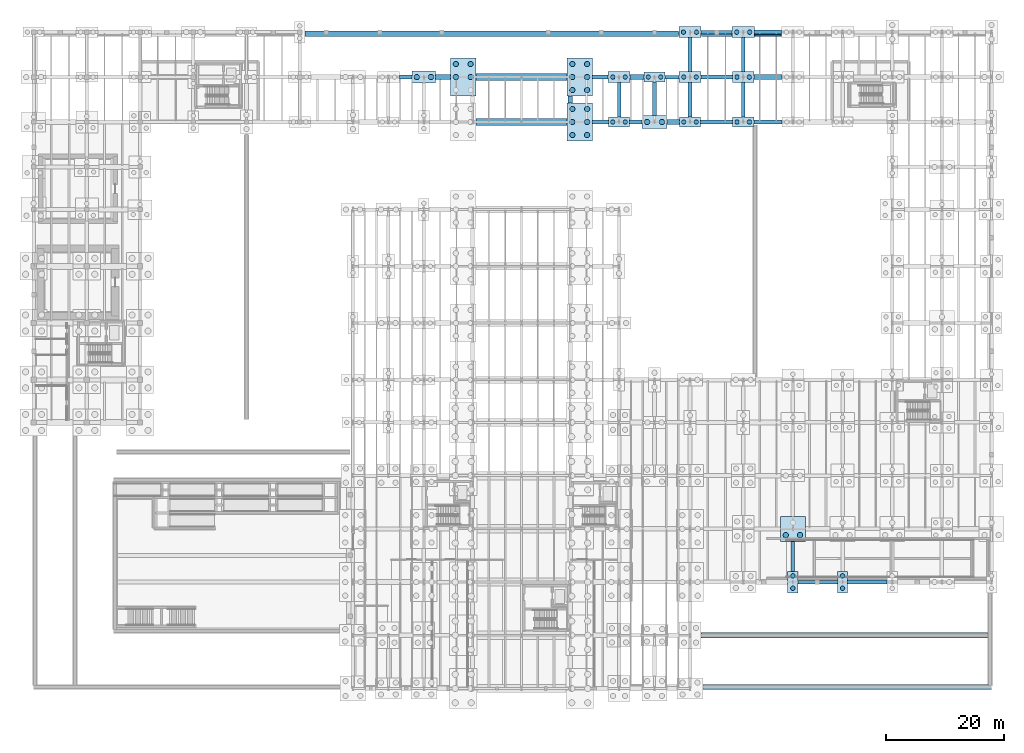
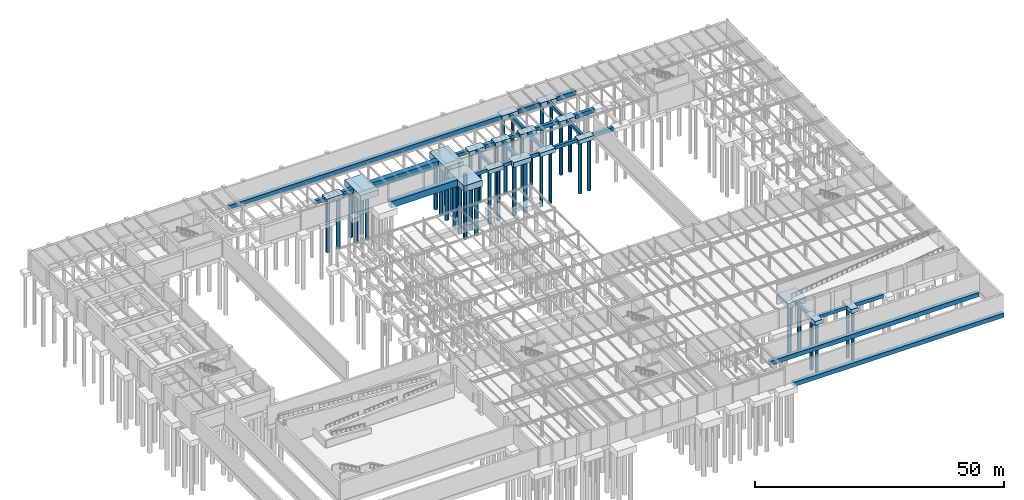
# One storey, part 9 of 59: 48 footings, 44 piles.
"""IFC4 building model written with IfcOpenShell, lengths in metres."""

from ifc_helpers import new_model, si_unit, direction, frame, origin, origin_2d, place, context, subcontext, project, spatial, polyline, rectangle, circle, outline, extrude, material, material_profile, profile_set, type_object, element, save


model = new_model("IFC4")

# Units and contexts
model_context = context("Model", 3, precision=1e-05, world=origin(), true_north=direction((0.0, 1.0)))
body_context = subcontext(model_context, "Body", "Model", "MODEL_VIEW")
ifc_project = project(units=[si_unit("LENGTHUNIT", "METRE"), si_unit("AREAUNIT", "SQUARE_METRE"), si_unit("VOLUMEUNIT", "CUBIC_METRE"), si_unit("PLANEANGLEUNIT", "RADIAN"), si_unit("MASSUNIT", "GRAM", prefix="KILO")], contexts=[model_context])

# Site, building, storey
site_placement = place(None, origin())
site = spatial("IfcSite", under=ifc_project, at=site_placement, CompositionType="ELEMENT")
building_placement = place(site_placement, origin())
building = spatial("IfcBuilding", under=site, at=building_placement, Name="Montealbar Specialist Clinic", CompositionType="ELEMENT")
storey_placement = place(building_placement, frame((0.0, 0.0, -4.800048828125)))
storey = spatial("IfcBuildingStorey", under=building, at=storey_placement, Name="B01", CompositionType="ELEMENT", Elevation=-4.800048828125)

# Footings
ifc_material = material(Name="Concrete C35/45", Category="concrete")
footing_type_1 = type_object("IfcFootingType", Name="FB-METRO-1200x1600", PredefinedType="FOOTING_BEAM", material=ifc_material)
footing_1_placement = place(storey_placement, frame((0.0, 0.0, -1.599853515625)))
element("IfcFooting", 1, at=footing_1_placement, inside=storey, type_object=footing_type_1, Name="Foundation Ground Beam FBX-748-902-958", PredefinedType="FOOTING_BEAM", context=body_context, shape_type="SweptSolid", body=[
    extrude(outline(polyline([(74.800048828125, 95.199951171875), (90.199951171875, 95.199951171875), (90.199951171875, 96.39990234375), (74.800048828125, 96.39990234375), (74.800048828125, 95.199951171875)])), origin(), (0.0, 0.0, 1.0), 1.599853515625),
])
footing_2_placement = place(storey_placement, frame((0.0, 0.0, -1.599853515625)))
element("IfcFooting", 2, at=footing_2_placement, inside=storey, type_object=footing_type_1, Name="Foundation Ground Beam FBX-748-902-1034", PredefinedType="FOOTING_BEAM", context=body_context, shape_type="SweptSolid", body=[
    extrude(outline(polyline([(74.800048828125, 102.800048828125), (90.199951171875, 102.800048828125), (90.199951171875, 104.0), (74.800048828125, 104.0), (74.800048828125, 102.800048828125)])), origin(), (0.0, 0.0, 1.0), 1.599853515625),
])
footing_type_2 = type_object("IfcFootingType", Name="FB-TIE-600x800", PredefinedType="FOOTING_BEAM", material=ifc_material)
footing_3_placement = place(storey_placement, frame((0.0, 0.0, -0.800048828125)))
element("IfcFooting", 3, at=footing_3_placement, inside=storey, type_object=footing_type_2, Name="Foundation Ground Beam FBX-1293-1359-180", PredefinedType="FOOTING_BEAM", context=body_context, shape_type="SweptSolid", body=[
    extrude(outline(polyline([(129.27490234375, 17.699951171875), (135.925048828125, 17.699951171875), (135.925048828125, 18.300048828125), (129.27490234375, 18.300048828125), (129.27490234375, 17.699951171875)])), origin(), (0.0, 0.0, 1.0), 0.800048828125),
])
footing_4_placement = place(storey_placement, frame((0.0, 0.0, -0.800048828125)))
element("IfcFooting", 4, at=footing_4_placement, inside=storey, type_object=footing_type_2, Name="Foundation Ground Beam FBX-945-972-958", PredefinedType="FOOTING_BEAM", context=body_context, shape_type="SweptSolid", body=[
    extrude(outline(polyline([(94.5, 95.5), (97.199951171875, 95.5), (97.199951171875, 96.10009765625), (94.5, 96.10009765625), (94.5, 95.5)])), origin(), (0.0, 0.0, 1.0), 0.800048828125),
])
footing_5_placement = place(storey_placement, frame((0.0, 0.0, -0.800048828125)))
element("IfcFooting", 5, at=footing_5_placement, inside=storey, type_object=footing_type_2, Name="Foundation Ground Beam FBX-1128-1182-958", PredefinedType="FOOTING_BEAM", context=body_context, shape_type="SweptSolid", body=[
    extrude(outline(polyline([(112.800048828125, 95.5), (118.199951171875, 95.5), (118.199951171875, 96.10009765625), (112.800048828125, 96.10009765625), (112.800048828125, 95.5)])), origin(), (0.0, 0.0, 1.0), 0.800048828125),
])
footing_6_placement = place(storey_placement, frame((0.0, 0.0, -0.800048828125)))
element("IfcFooting", 6, at=footing_6_placement, inside=storey, type_object=footing_type_2, Name="Foundation Ground Beam FBX-1068-1092-1034", PredefinedType="FOOTING_BEAM", context=body_context, shape_type="SweptSolid", body=[
    extrude(outline(polyline([(106.800048828125, 103.10009765625), (109.14990234375, 103.10009765625), (109.14990234375, 103.699951171875), (106.800048828125, 103.699951171875), (106.800048828125, 103.10009765625)])), origin(), (0.0, 0.0, 1.0), 0.800048828125),
])
footing_7_placement = place(storey_placement, frame((0.0, 0.0, -0.800048828125)))
element("IfcFooting", 7, at=footing_7_placement, inside=storey, type_object=footing_type_2, Name="Foundation Ground Beam FBX-1129-1181-1110", PredefinedType="FOOTING_BEAM", context=body_context, shape_type="SweptSolid", body=[
    extrude(outline(polyline([(112.89990234375, 110.699951171875), (118.10009765625, 110.699951171875), (118.10009765625, 111.300048828125), (112.89990234375, 111.300048828125), (112.89990234375, 110.699951171875)])), origin(), (0.0, 0.0, 1.0), 0.800048828125),
])
footing_8_placement = place(storey_placement, frame((0.0, 0.0, -0.800048828125)))
element("IfcFooting", 8, at=footing_8_placement, inside=storey, type_object=footing_type_2, Name="Foundation Tie Beam FBY-990-966-1025", PredefinedType="FOOTING_BEAM", context=body_context, shape_type="SweptSolid", body=[
    extrude(outline(polyline([(98.699951171875, 96.64990234375), (99.300048828125, 96.64990234375), (99.300048828125, 102.5), (98.699951171875, 102.5), (98.699951171875, 96.64990234375)])), origin(), (0.0, 0.0, 1.0), 0.800048828125),
])
footing_9_placement = place(storey_placement, frame((0.0, 0.0, -0.800048828125)))
element("IfcFooting", 9, at=footing_9_placement, inside=storey, type_object=footing_type_2, Name="Foundation Tie Beam FBY-1050-969-1026", PredefinedType="FOOTING_BEAM", context=body_context, shape_type="SweptSolid", body=[
    extrude(outline(polyline([(104.699951171875, 96.875), (105.300048828125, 96.875), (105.300048828125, 102.550048828125), (104.699951171875, 102.550048828125), (104.699951171875, 96.875)])), origin(), (0.0, 0.0, 1.0), 0.800048828125),
])
footing_10_placement = place(storey_placement, frame((0.0, 0.0, -0.800048828125)))
element("IfcFooting", 10, at=footing_10_placement, inside=storey, type_object=footing_type_2, Name="Foundation Tie Beam FBY-1110-966-1025", PredefinedType="FOOTING_BEAM", context=body_context, shape_type="SweptSolid", body=[
    extrude(outline(polyline([(110.699951171875, 96.64990234375), (111.300048828125, 96.64990234375), (111.300048828125, 102.5), (110.699951171875, 102.5), (110.699951171875, 96.64990234375)])), origin(), (0.0, 0.0, 1.0), 0.800048828125),
])
footing_11_placement = place(storey_placement, frame((0.0, 0.0, -0.800048828125)))
element("IfcFooting", 11, at=footing_11_placement, inside=storey, type_object=footing_type_2, Name="Foundation Tie Beam FBY-1110-1043-1100", PredefinedType="FOOTING_BEAM", context=body_context, shape_type="SweptSolid", body=[
    extrude(outline(polyline([(110.699951171875, 104.300048828125), (111.300048828125, 104.300048828125), (111.300048828125, 110.050048828125), (110.699951171875, 110.050048828125), (110.699951171875, 104.300048828125)])), origin(), (0.0, 0.0, 1.0), 0.800048828125),
])
footing_12_placement = place(storey_placement, frame((0.0, 0.0, -0.800048828125)))
element("IfcFooting", 12, at=footing_12_placement, inside=storey, type_object=footing_type_2, Name="Foundation Tie Beam FBY-1200-966-1025", PredefinedType="FOOTING_BEAM", context=body_context, shape_type="SweptSolid", body=[
    extrude(outline(polyline([(119.699951171875, 96.64990234375), (120.300048828125, 96.64990234375), (120.300048828125, 102.5), (119.699951171875, 102.5), (119.699951171875, 96.64990234375)])), origin(), (0.0, 0.0, 1.0), 0.800048828125),
])
footing_13_placement = place(storey_placement, frame((0.0, 0.0, -0.800048828125)))
element("IfcFooting", 13, at=footing_13_placement, inside=storey, type_object=footing_type_2, Name="Foundation Tie Beam FBY-1200-1043-1100", PredefinedType="FOOTING_BEAM", context=body_context, shape_type="SweptSolid", body=[
    extrude(outline(polyline([(119.699951171875, 104.300048828125), (120.300048828125, 104.300048828125), (120.300048828125, 110.050048828125), (119.699951171875, 110.050048828125), (119.699951171875, 104.300048828125)])), origin(), (0.0, 0.0, 1.0), 0.800048828125),
])
footing_14_placement = place(storey_placement, frame((0.0, 0.0, -1.25)))
element("IfcFooting", 14, at=footing_14_placement, inside=storey, type_object=footing_type_2, Name="Foundation Tie Beam FBY-1284-198-249", PredefinedType="FOOTING_BEAM", context=body_context, shape_type="SweptSolid", body=[
    extrude(outline(polyline([(128.10009765625, 19.824951171875), (128.699951171875, 19.824951171875), (128.699951171875, 24.89990234375), (128.10009765625, 24.89990234375), (128.10009765625, 19.824951171875)])), origin(), (0.0, 0.0, 1.0), 0.800048828125),
])
footing_type_3 = type_object("IfcFootingType", Name="FB-TIE-700x900", PredefinedType="FOOTING_BEAM", material=ifc_material)
footing_15_placement = place(storey_placement, frame((0.0, 0.0, -0.89990234375)))
element("IfcFooting", 15, at=footing_15_placement, inside=storey, type_object=footing_type_3, Name="Foundation Ground Beam FBX-1377-1443-180", PredefinedType="FOOTING_BEAM", context=body_context, shape_type="SweptSolid", body=[
    extrude(outline(polyline([(137.675048828125, 17.64990234375), (144.324951171875, 17.64990234375), (144.324951171875, 18.35009765625), (137.675048828125, 18.35009765625), (137.675048828125, 17.64990234375)])), origin(), (0.0, 0.0, 1.0), 0.89990234375),
])
footing_16_placement = place(storey_placement, frame((0.0, 0.0, -0.89990234375)))
element("IfcFooting", 16, at=footing_16_placement, inside=storey, type_object=footing_type_3, Name="Foundation Ground Beam FBX-1008-1029-958", PredefinedType="FOOTING_BEAM", context=body_context, shape_type="SweptSolid", body=[
    extrude(outline(polyline([(100.800048828125, 95.449951171875), (102.89990234375, 95.449951171875), (102.89990234375, 96.14990234375), (100.800048828125, 96.14990234375), (100.800048828125, 95.449951171875)])), origin(), (0.0, 0.0, 1.0), 0.89990234375),
])
footing_17_placement = place(storey_placement, frame((0.0, 0.0, -0.89990234375)))
element("IfcFooting", 17, at=footing_17_placement, inside=storey, type_object=footing_type_3, Name="Foundation Ground Beam FBX-1218-1266-958", PredefinedType="FOOTING_BEAM", context=body_context, shape_type="SweptSolid", body=[
    extrude(outline(polyline([(121.800048828125, 95.449951171875), (126.60009765625, 95.449951171875), (126.60009765625, 96.14990234375), (121.800048828125, 96.14990234375), (121.800048828125, 95.449951171875)])), origin(), (0.0, 0.0, 1.0), 0.89990234375),
])
footing_18_placement = place(storey_placement, frame((0.0, 0.0, -0.89990234375)))
element("IfcFooting", 18, at=footing_18_placement, inside=storey, type_object=footing_type_3, Name="Foundation Ground Beam FBX-618-640-1034", PredefinedType="FOOTING_BEAM", context=body_context, shape_type="SweptSolid", body=[
    extrude(outline(polyline([(61.85009765625, 103.050048828125), (64.0, 103.050048828125), (64.0, 103.75), (61.85009765625, 103.75), (61.85009765625, 103.050048828125)])), origin(), (0.0, 0.0, 1.0), 0.89990234375),
])
footing_19_placement = place(storey_placement, frame((0.0, 0.0, -0.89990234375)))
element("IfcFooting", 19, at=footing_19_placement, inside=storey, type_object=footing_type_3, Name="Foundation Ground Beam FBX-945-972-1034", PredefinedType="FOOTING_BEAM", context=body_context, shape_type="SweptSolid", body=[
    extrude(outline(polyline([(94.5, 103.050048828125), (97.14990234375, 103.050048828125), (97.14990234375, 103.75), (94.5, 103.75), (94.5, 103.050048828125)])), origin(), (0.0, 0.0, 1.0), 0.89990234375),
])
footing_20_placement = place(storey_placement, frame((0.0, 0.0, -0.89990234375)))
element("IfcFooting", 20, at=footing_20_placement, inside=storey, type_object=footing_type_3, Name="Foundation Ground Beam FBX-1128-1182-1034", PredefinedType="FOOTING_BEAM", context=body_context, shape_type="SweptSolid", body=[
    extrude(outline(polyline([(112.85009765625, 103.050048828125), (118.14990234375, 103.050048828125), (118.14990234375, 103.75), (112.85009765625, 103.75), (112.85009765625, 103.050048828125)])), origin(), (0.0, 0.0, 1.0), 0.89990234375),
])
footing_21_placement = place(storey_placement, frame((0.0, 0.0, -0.89990234375)))
element("IfcFooting", 21, at=footing_21_placement, inside=storey, type_object=footing_type_3, Name="Foundation Ground Beam FBX-1219-1265-1110", PredefinedType="FOOTING_BEAM", context=body_context, shape_type="SweptSolid", body=[
    extrude(outline(polyline([(121.89990234375, 110.64990234375), (126.5, 110.64990234375), (126.5, 111.35009765625), (121.89990234375, 111.35009765625), (121.89990234375, 110.64990234375)])), origin(), (0.0, 0.0, 1.0), 0.89990234375),
])
footing_22_placement = place(storey_placement, frame((0.0, 0.0, -0.89990234375)))
element("IfcFooting", 22, at=footing_22_placement, inside=storey, type_object=footing_type_3, Name="Foundation Tie Beam FBY-908-990-1002", PredefinedType="FOOTING_BEAM", context=body_context, shape_type="SweptSolid", body=[
    extrude(outline(polyline([(90.39990234375, 99.0), (91.10009765625, 99.0), (91.10009765625, 100.199951171875), (90.39990234375, 100.199951171875), (90.39990234375, 99.0)])), origin(), (0.0, 0.0, 1.0), 0.89990234375),
])
footing_type_4 = type_object("IfcFootingType", Name="FB-TIE-800x1000", PredefinedType="FOOTING_BEAM", material=ifc_material)
footing_23_placement = place(storey_placement, frame((0.0, 0.0, -1.0)))
element("IfcFooting", 23, at=footing_23_placement, inside=storey, type_object=footing_type_4, Name="Foundation Ground Beam FBX-1071-1092-958", PredefinedType="FOOTING_BEAM", context=body_context, shape_type="SweptSolid", body=[
    extrude(outline(polyline([(107.10009765625, 95.39990234375), (109.199951171875, 95.39990234375), (109.199951171875, 96.199951171875), (107.10009765625, 96.199951171875), (107.10009765625, 95.39990234375)])), origin(), (0.0, 0.0, 1.0), 1.0),
])
footing_24_placement = place(storey_placement, frame((0.0, 0.0, -1.0)))
element("IfcFooting", 24, at=footing_24_placement, inside=storey, type_object=footing_type_4, Name="Foundation Ground Beam FBX-680-705-1034", PredefinedType="FOOTING_BEAM", context=body_context, shape_type="SweptSolid", body=[
    extrude(outline(polyline([(68.0, 103.0), (70.5, 103.0), (70.5, 103.800048828125), (68.0, 103.800048828125), (68.0, 103.0)])), origin(), (0.0, 0.0, 1.0), 1.0),
])
footing_25_placement = place(storey_placement, frame((0.0, 0.0, -1.0)))
element("IfcFooting", 25, at=footing_25_placement, inside=storey, type_object=footing_type_4, Name="Foundation Ground Beam FBX-1008-1032-1034", PredefinedType="FOOTING_BEAM", context=body_context, shape_type="SweptSolid", body=[
    extrude(outline(polyline([(100.85009765625, 103.0), (103.199951171875, 103.0), (103.199951171875, 103.800048828125), (100.85009765625, 103.800048828125), (100.85009765625, 103.0)])), origin(), (0.0, 0.0, 1.0), 1.0),
])
footing_26_placement = place(storey_placement, frame((0.0, 0.0, -1.0)))
element("IfcFooting", 26, at=footing_26_placement, inside=storey, type_object=footing_type_4, Name="Foundation Ground Beam FBX-1218-1266-1034", PredefinedType="FOOTING_BEAM", context=body_context, shape_type="SweptSolid", body=[
    extrude(outline(polyline([(121.85009765625, 103.0), (126.550048828125, 103.0), (126.550048828125, 103.800048828125), (121.85009765625, 103.800048828125), (121.85009765625, 103.0)])), origin(), (0.0, 0.0, 1.0), 1.0),
])
footing_type_5 = type_object("IfcFootingType", Name="FT-CORE-STRIP", PredefinedType="STRIP_FOOTING", material=ifc_material)
footing_27_placement = place(storey_placement, frame((0.0, 0.0, -1.050048828125)))
element("IfcFooting", 27, at=footing_27_placement, inside=storey, type_object=footing_type_5, Name="Strip Footing FT-PLINTH-SE-S1-3", PredefinedType="STRIP_FOOTING", context=body_context, shape_type="SweptSolid", body=[
    extrude(outline(polyline([(162.0, -0.199951171875), (113.22998046875, -0.199951171875), (113.22998046875, 0.699951171875), (162.0, 0.699951171875), (162.0, -0.199951171875)])), origin(), (0.0, 0.0, 1.0), 1.050048828125),
])
footing_28_placement = place(storey_placement, frame((0.0, 0.0, -1.050048828125)))
element("IfcFooting", 28, at=footing_28_placement, inside=storey, type_object=footing_type_5, Name="Strip Footing FT-PLINTH-N-ALL-5", PredefinedType="STRIP_FOOTING", context=body_context, shape_type="SweptSolid", body=[
    extrude(outline(polyline([(109.070068359375, 110.300048828125), (45.905029296875, 110.300048828125), (45.905029296875, 111.199951171875), (109.070068359375, 111.199951171875), (109.070068359375, 110.300048828125)])), origin(), (0.0, 0.0, 1.0), 1.050048828125),
])
footing_29_placement = place(storey_placement, frame((0.0, 0.0, -1.050048828125)))
element("IfcFooting", 29, at=footing_29_placement, inside=storey, type_object=footing_type_5, Name="Strip Footing FT-PLINTH-N-ALL-6", PredefinedType="STRIP_FOOTING", context=body_context, shape_type="SweptSolid", body=[
    extrude(outline(polyline([(112.929931640625, 110.300048828125), (112.929931640625, 110.669921875), (118.070068359375, 110.669921875), (118.070068359375, 110.300048828125), (112.929931640625, 110.300048828125)])), origin(), (0.0, 0.0, 1.0), 1.050048828125),
])
footing_30_placement = place(storey_placement, frame((0.0, 0.0, -1.050048828125)))
element("IfcFooting", 30, at=footing_30_placement, inside=storey, type_object=footing_type_5, Name="Strip Footing FT-PLINTH-N-ALL-7", PredefinedType="STRIP_FOOTING", context=body_context, shape_type="SweptSolid", body=[
    extrude(outline(polyline([(121.929931640625, 110.300048828125), (121.929931640625, 110.6201171875), (126.469970703125, 110.6201171875), (126.469970703125, 110.300048828125), (121.929931640625, 110.300048828125)])), origin(), (0.0, 0.0, 1.0), 1.050048828125),
])
footing_31_placement = place(storey_placement, frame((0.0, 0.0, -1.050048828125)))
element("IfcFooting", 31, at=footing_31_placement, inside=storey, type_object=footing_type_5, Name="Strip Footing FT-PLINTH-SUP-SE1-1", PredefinedType="STRIP_FOOTING", context=body_context, shape_type="SweptSolid", body=[
    extrude(outline(polyline([(112.85498046875, 9.449951171875), (161.2900390625, 9.449951171875), (161.2900390625, 8.550048828125), (112.85498046875, 8.550048828125), (112.85498046875, 9.449951171875)])), origin(), (0.0, 0.0, 1.0), 1.050048828125),
])
footing_type_6 = type_object("IfcFootingType", Name="PC-2A", PredefinedType="PILE_CAP", material=ifc_material)
for number, where, z_axis, x_axis, name in (
    (32, (99.0, 95.800048828125, -1.0), (0.0, 0.0, 1.0), (1.0, 0.0, 0.0), "Pile Cap 13/M"),
    (33, (105.0, 103.39990234375, -1.0), (0.0, 0.0, 1.0), (1.0, 0.0, 0.0), "Pile Cap 14/N"),
    (34, (111.0, 95.800048828125, -1.0), (0.0, 0.0, 1.0), (1.0, 0.0, 0.0), "Pile Cap 15/M"),
    (35, (120.0, 95.800048828125, -1.0), (0.0, 0.0, 1.0), (1.0, 0.0, 0.0), "Pile Cap 16/M"),
):
    element("IfcFooting", number, at=place(storey_placement, frame(where, z_axis=z_axis, x_axis=x_axis)), inside=storey, type_object=footing_type_6, Name=name, PredefinedType="PILE_CAP", context=body_context, shape_type="SweptSolid", body=[
        extrude(rectangle(XDim=3.60009765625, YDim=1.699951171875, at=origin_2d()), origin(), (0.0, 0.0, 1.0), 1.0),
    ])
footing_type_7 = type_object("IfcFootingType", Name="PC-2B", PredefinedType="PILE_CAP", material=ifc_material)
for number, where, z_axis, x_axis, name in (
    (36, (99.0, 103.39990234375, -1.0498046875), (0.0, 0.0, 1.0), (1.0, 0.0, 0.0), "Pile Cap 13/N"),
    (37, (111.0, 103.39990234375, -1.0498046875), (0.0, 0.0, 1.0), (1.0, 0.0, 0.0), "Pile Cap 15/N"),
    (38, (120.0, 103.39990234375, -1.0498046875), (0.0, 0.0, 1.0), (1.0, 0.0, 0.0), "Pile Cap 16/N"),
):
    element("IfcFooting", number, at=place(storey_placement, frame(where, z_axis=z_axis, x_axis=x_axis)), inside=storey, type_object=footing_type_7, Name=name, PredefinedType="PILE_CAP", context=body_context, shape_type="SweptSolid", body=[
        extrude(rectangle(XDim=3.699951171875, YDim=1.800048828125, at=origin_2d()), origin(), (0.0, 0.0, 1.0), 1.050048828125),
    ])
footing_type_8 = type_object("IfcFootingType", Name="PC-2C", PredefinedType="PILE_CAP", material=ifc_material)
for number, where, z_axis, x_axis, name in (
    (39, (111.0, 111.0, -1.10009765625), (0.0, 0.0, 1.0), (1.0, 0.0, 0.0), "Pile Cap 15/P"),
    (40, (120.0, 111.0, -1.10009765625), (0.0, 0.0, 1.0), (1.0, 0.0, 0.0), "Pile Cap 16/P"),
):
    element("IfcFooting", number, at=place(storey_placement, frame(where, z_axis=z_axis, x_axis=x_axis)), inside=storey, type_object=footing_type_8, Name=name, PredefinedType="PILE_CAP", context=body_context, shape_type="SweptSolid", body=[
        extrude(rectangle(XDim=3.800048828125, YDim=1.89990234375, at=origin_2d()), origin(), (0.0, 0.0, 1.0), 1.10009765625),
    ])
footing_type_9 = type_object("IfcFootingType", Name="PC-2D", PredefinedType="PILE_CAP", material=ifc_material)
for number, where, z_axis, x_axis, name in (
    (41, (128.39990234375, 18.0, -1.0), (0.0, 0.0, 1.0), (1.0, 0.0, 0.0), "Pile Cap 17/C"),
    (42, (136.800048828125, 18.0, -1.0), (0.0, 0.0, 1.0), (1.0, 0.0, 0.0), "Pile Cap 18/C"),
):
    element("IfcFooting", number, at=place(storey_placement, frame(where, z_axis=z_axis, x_axis=x_axis)), inside=storey, type_object=footing_type_9, Name=name, PredefinedType="PILE_CAP", context=body_context, shape_type="SweptSolid", body=[
        extrude(rectangle(XDim=1.75, YDim=3.64990234375, at=origin_2d()), origin(), (0.0, 0.0, 1.0), 1.0),
    ])
footing_type_10 = type_object("IfcFootingType", Name="PC-2F", PredefinedType="PILE_CAP", material=ifc_material)
footing_32_placement = place(storey_placement, frame((66.0, 103.39990234375, -1.14990234375), z_axis=(0.0, 0.0, 1.0), x_axis=(1.0, 0.0, 0.0)))
element("IfcFooting", 43, at=footing_32_placement, inside=storey, type_object=footing_type_10, Name="Pile Cap 9/N", PredefinedType="PILE_CAP", context=body_context, shape_type="SweptSolid", body=[
    extrude(rectangle(XDim=4.0, YDim=2.0, at=origin_2d()), origin(), (0.0, 0.0, 1.0), 1.14990234375),
])
footing_type_11 = type_object("IfcFootingType", Name="PC-2H", PredefinedType="PILE_CAP", material=ifc_material)
footing_33_placement = place(storey_placement, frame((105.0, 95.800048828125, -1.19970703125), z_axis=(0.0, 0.0, 1.0), x_axis=(1.0, 0.0, 0.0)))
element("IfcFooting", 44, at=footing_33_placement, inside=storey, type_object=footing_type_11, Name="Pile Cap 14/M", PredefinedType="PILE_CAP", context=body_context, shape_type="SweptSolid", body=[
    extrude(rectangle(XDim=4.199951171875, YDim=2.14990234375, at=origin_2d()), origin(), (0.0, 0.0, 1.0), 1.199951171875),
])
footing_type_12 = type_object("IfcFootingType", Name="PC-3D", PredefinedType="PILE_CAP", material=ifc_material)
footing_34_placement = place(storey_placement, frame((128.39990234375, 27.0, -1.699951171875), z_axis=(0.0, 0.0, 1.0), x_axis=(1.0, 0.0, 0.0)))
element("IfcFooting", 45, at=footing_34_placement, inside=storey, type_object=footing_type_12, Name="Pile Cap 17/D", PredefinedType="PILE_CAP", context=body_context, shape_type="SweptSolid", body=[
    extrude(rectangle(XDim=4.199951171875, YDim=4.199951171875, at=origin_2d()), origin(), (0.0, 0.0, 1.0), 1.25),
])
footing_type_13 = type_object("IfcFootingType", Name="PC-6A", PredefinedType="PILE_CAP", material=ifc_material)
for number, where, z_axis, x_axis, name in (
    (46, (72.64990234375, 103.39990234375, -1.5), (0.0, 0.0, 1.0), (1.0, 0.0, 0.0), "Pile Cap 10/N"),
    (47, (92.35009765625, 95.800048828125, -1.5), (0.0, 0.0, 1.0), (1.0, 0.0, 0.0), "Pile Cap 12/M"),
    (48, (92.35009765625, 103.39990234375, -1.5), (0.0, 0.0, 1.0), (1.0, 0.0, 0.0), "Pile Cap 12/N"),
):
    element("IfcFooting", number, at=place(storey_placement, frame(where, z_axis=z_axis, x_axis=x_axis)), inside=storey, type_object=footing_type_13, Name=name, PredefinedType="PILE_CAP", context=body_context, shape_type="SweptSolid", body=[
        extrude(rectangle(XDim=4.300048828125, YDim=6.39990234375, at=origin_2d()), origin(), (0.0, 0.0, 1.0), 1.5),
    ])

# Piles
ifc_material_profile_1 = material_profile(ifc_material, circle(Radius=0.375, at=origin_2d()), Name="PILE D750", Category="concrete")
ifc_profile_set_1 = profile_set([ifc_material_profile_1], Name="Concrete C35/45")
pile_type_1 = type_object("IfcPileType", Name="PILE-D750", PredefinedType="BORED", material=ifc_profile_set_1)
for number, where, z_axis, x_axis, name in (
    (49, (97.949951171875, 95.800048828125, -0.89990234375), (0.0, 0.0, -1.0), (1.0, 0.0, 0.0), "Bored Pile 13/M-P1"),
    (50, (100.050048828125, 95.800048828125, -0.89990234375), (0.0, 0.0, -1.0), (1.0, 0.0, 0.0), "Bored Pile 13/M-P2"),
):
    element("IfcPile", number, at=place(storey_placement, frame(where, z_axis=z_axis, x_axis=x_axis)), inside=storey, type_object=pile_type_1, Name=name, PredefinedType="BORED", context=body_context, shape_type="SweptSolid", body=[
        extrude(circle(Radius=0.375, at=origin_2d()), origin(), (0.0, 0.0, 1.0), 12.800048828125),
    ])
for number, where, z_axis, x_axis, name in (
    (51, (97.949951171875, 103.39990234375, -0.949951171875), (0.0, 0.0, -1.0), (1.0, 0.0, 0.0), "Bored Pile 13/N-P1"),
    (52, (100.050048828125, 103.39990234375, -0.949951171875), (0.0, 0.0, -1.0), (1.0, 0.0, 0.0), "Bored Pile 13/N-P2"),
):
    element("IfcPile", number, at=place(storey_placement, frame(where, z_axis=z_axis, x_axis=x_axis)), inside=storey, type_object=pile_type_1, Name=name, PredefinedType="BORED", context=body_context, shape_type="SweptSolid", body=[
        extrude(circle(Radius=0.375, at=origin_2d()), origin(), (0.0, 0.0, 1.0), 12.75),
    ])
for number, where, z_axis, x_axis, name in (
    (53, (103.949951171875, 103.39990234375, -0.89990234375), (0.0, 0.0, -1.0), (1.0, 0.0, 0.0), "Bored Pile 14/N-P1"),
    (54, (106.050048828125, 103.39990234375, -0.89990234375), (0.0, 0.0, -1.0), (1.0, 0.0, 0.0), "Bored Pile 14/N-P2"),
    (55, (109.949951171875, 95.800048828125, -0.89990234375), (0.0, 0.0, -1.0), (1.0, 0.0, 0.0), "Bored Pile 15/M-P1"),
    (56, (112.050048828125, 95.800048828125, -0.89990234375), (0.0, 0.0, -1.0), (1.0, 0.0, 0.0), "Bored Pile 15/M-P2"),
):
    element("IfcPile", number, at=place(storey_placement, frame(where, z_axis=z_axis, x_axis=x_axis)), inside=storey, type_object=pile_type_1, Name=name, PredefinedType="BORED", context=body_context, shape_type="SweptSolid", body=[
        extrude(circle(Radius=0.375, at=origin_2d()), origin(), (0.0, 0.0, 1.0), 12.800048828125),
    ])
for number, where, z_axis, x_axis, name in (
    (57, (109.949951171875, 103.39990234375, -0.949951171875), (0.0, 0.0, -1.0), (1.0, 0.0, 0.0), "Bored Pile 15/N-P1"),
    (58, (112.050048828125, 103.39990234375, -0.949951171875), (0.0, 0.0, -1.0), (1.0, 0.0, 0.0), "Bored Pile 15/N-P2"),
):
    element("IfcPile", number, at=place(storey_placement, frame(where, z_axis=z_axis, x_axis=x_axis)), inside=storey, type_object=pile_type_1, Name=name, PredefinedType="BORED", context=body_context, shape_type="SweptSolid", body=[
        extrude(circle(Radius=0.375, at=origin_2d()), origin(), (0.0, 0.0, 1.0), 12.75),
    ])
for number, where, z_axis, x_axis, name in (
    (59, (109.89990234375, 111.0, -1.0), (0.0, 0.0, -1.0), (1.0, 0.0, 0.0), "Bored Pile 15/P-P1"),
    (60, (112.10009765625, 111.0, -1.0), (0.0, 0.0, -1.0), (1.0, 0.0, 0.0), "Bored Pile 15/P-P2"),
):
    element("IfcPile", number, at=place(storey_placement, frame(where, z_axis=z_axis, x_axis=x_axis)), inside=storey, type_object=pile_type_1, Name=name, PredefinedType="BORED", context=body_context, shape_type="SweptSolid", body=[
        extrude(circle(Radius=0.375, at=origin_2d()), origin(), (0.0, 0.0, 1.0), 12.699951171875),
    ])
for number, where, z_axis, x_axis, name in (
    (61, (118.949951171875, 95.800048828125, -0.89990234375), (0.0, 0.0, -1.0), (1.0, 0.0, 0.0), "Bored Pile 16/M-P1"),
    (62, (121.050048828125, 95.800048828125, -0.89990234375), (0.0, 0.0, -1.0), (1.0, 0.0, 0.0), "Bored Pile 16/M-P2"),
):
    element("IfcPile", number, at=place(storey_placement, frame(where, z_axis=z_axis, x_axis=x_axis)), inside=storey, type_object=pile_type_1, Name=name, PredefinedType="BORED", context=body_context, shape_type="SweptSolid", body=[
        extrude(circle(Radius=0.375, at=origin_2d()), origin(), (0.0, 0.0, 1.0), 12.800048828125),
    ])
for number, where, z_axis, x_axis, name in (
    (63, (118.949951171875, 103.39990234375, -0.949951171875), (0.0, 0.0, -1.0), (1.0, 0.0, 0.0), "Bored Pile 16/N-P1"),
    (64, (121.050048828125, 103.39990234375, -0.949951171875), (0.0, 0.0, -1.0), (1.0, 0.0, 0.0), "Bored Pile 16/N-P2"),
):
    element("IfcPile", number, at=place(storey_placement, frame(where, z_axis=z_axis, x_axis=x_axis)), inside=storey, type_object=pile_type_1, Name=name, PredefinedType="BORED", context=body_context, shape_type="SweptSolid", body=[
        extrude(circle(Radius=0.375, at=origin_2d()), origin(), (0.0, 0.0, 1.0), 12.75),
    ])
for number, where, z_axis, x_axis, name in (
    (65, (118.89990234375, 111.0, -1.0), (0.0, 0.0, -1.0), (1.0, 0.0, 0.0), "Bored Pile 16/P-P1"),
    (66, (121.10009765625, 111.0, -1.0), (0.0, 0.0, -1.0), (1.0, 0.0, 0.0), "Bored Pile 16/P-P2"),
):
    element("IfcPile", number, at=place(storey_placement, frame(where, z_axis=z_axis, x_axis=x_axis)), inside=storey, type_object=pile_type_1, Name=name, PredefinedType="BORED", context=body_context, shape_type="SweptSolid", body=[
        extrude(circle(Radius=0.375, at=origin_2d()), origin(), (0.0, 0.0, 1.0), 12.699951171875),
    ])
for number, where, z_axis, x_axis, name in (
    (67, (128.39990234375, 16.949951171875, -0.89990234375), (0.0, 0.0, -1.0), (1.0, 0.0, 0.0), "Bored Pile 17/C-P1"),
    (68, (128.39990234375, 19.050048828125, -0.89990234375), (0.0, 0.0, -1.0), (1.0, 0.0, 0.0), "Bored Pile 17/C-P2"),
    (69, (136.800048828125, 16.949951171875, -0.89990234375), (0.0, 0.0, -1.0), (1.0, 0.0, 0.0), "Bored Pile 18/C-P1"),
    (70, (136.800048828125, 19.050048828125, -0.89990234375), (0.0, 0.0, -1.0), (1.0, 0.0, 0.0), "Bored Pile 18/C-P2"),
):
    element("IfcPile", number, at=place(storey_placement, frame(where, z_axis=z_axis, x_axis=x_axis)), inside=storey, type_object=pile_type_1, Name=name, PredefinedType="BORED", context=body_context, shape_type="SweptSolid", body=[
        extrude(circle(Radius=0.375, at=origin_2d()), origin(), (0.0, 0.0, 1.0), 12.800048828125),
    ])
ifc_material_profile_2 = material_profile(ifc_material, circle(Radius=0.449951171875, at=origin_2d()), Name="PILE D900", Category="concrete")
ifc_profile_set_2 = profile_set([ifc_material_profile_2], Name="Concrete C35/45")
pile_type_2 = type_object("IfcPileType", Name="PILE-D900", PredefinedType="BORED", material=ifc_profile_set_2)
for number, where, z_axis, x_axis, name in (
    (71, (64.800048828125, 103.39990234375, -1.050048828125), (0.0, 0.0, -1.0), (1.0, 0.0, 0.0), "Bored Pile 9/N-P1"),
    (72, (67.199951171875, 103.39990234375, -1.050048828125), (0.0, 0.0, -1.0), (1.0, 0.0, 0.0), "Bored Pile 9/N-P2"),
):
    element("IfcPile", number, at=place(storey_placement, frame(where, z_axis=z_axis, x_axis=x_axis)), inside=storey, type_object=pile_type_2, Name=name, PredefinedType="BORED", context=body_context, shape_type="SweptSolid", body=[
        extrude(circle(Radius=0.449951171875, at=origin_2d()), origin(), (0.0, 0.0, 1.0), 12.64990234375),
    ])
for number, where, z_axis, x_axis, name in (
    (73, (71.39990234375, 103.39990234375, -1.39990234375), (0.0, 0.0, -1.0), (1.0, 0.0, 0.0), "Bored Pile 10/N-P3"),
    (74, (73.89990234375, 103.39990234375, -1.39990234375), (0.0, 0.0, -1.0), (1.0, 0.0, 0.0), "Bored Pile 10/N-P4"),
    (75, (71.39990234375, 105.60009765625, -1.39990234375), (0.0, 0.0, -1.0), (1.0, 0.0, 0.0), "Bored Pile 10/N-P5"),
    (76, (73.89990234375, 105.60009765625, -1.39990234375), (0.0, 0.0, -1.0), (1.0, 0.0, 0.0), "Bored Pile 10/N-P6"),
    (77, (91.10009765625, 93.60009765625, -1.39990234375), (0.0, 0.0, -1.0), (1.0, 0.0, 0.0), "Bored Pile 12/M-P1"),
    (78, (93.60009765625, 93.60009765625, -1.39990234375), (0.0, 0.0, -1.0), (1.0, 0.0, 0.0), "Bored Pile 12/M-P2"),
    (79, (91.10009765625, 95.800048828125, -1.39990234375), (0.0, 0.0, -1.0), (1.0, 0.0, 0.0), "Bored Pile 12/M-P3"),
    (80, (93.60009765625, 95.800048828125, -1.39990234375), (0.0, 0.0, -1.0), (1.0, 0.0, 0.0), "Bored Pile 12/M-P4"),
    (81, (91.10009765625, 98.0, -1.39990234375), (0.0, 0.0, -1.0), (1.0, 0.0, 0.0), "Bored Pile 12/M-P5"),
    (82, (93.60009765625, 98.0, -1.39990234375), (0.0, 0.0, -1.0), (1.0, 0.0, 0.0), "Bored Pile 12/M-P6"),
    (83, (91.10009765625, 101.199951171875, -1.39990234375), (0.0, 0.0, -1.0), (1.0, 0.0, 0.0), "Bored Pile 12/N-P1"),
    (84, (93.60009765625, 101.199951171875, -1.39990234375), (0.0, 0.0, -1.0), (1.0, 0.0, 0.0), "Bored Pile 12/N-P2"),
    (85, (91.10009765625, 103.39990234375, -1.39990234375), (0.0, 0.0, -1.0), (1.0, 0.0, 0.0), "Bored Pile 12/N-P3"),
    (86, (93.60009765625, 103.39990234375, -1.39990234375), (0.0, 0.0, -1.0), (1.0, 0.0, 0.0), "Bored Pile 12/N-P4"),
    (87, (91.10009765625, 105.60009765625, -1.39990234375), (0.0, 0.0, -1.0), (1.0, 0.0, 0.0), "Bored Pile 12/N-P5"),
    (88, (93.60009765625, 105.60009765625, -1.39990234375), (0.0, 0.0, -1.0), (1.0, 0.0, 0.0), "Bored Pile 12/N-P6"),
):
    element("IfcPile", number, at=place(storey_placement, frame(where, z_axis=z_axis, x_axis=x_axis)), inside=storey, type_object=pile_type_2, Name=name, PredefinedType="BORED", context=body_context, shape_type="SweptSolid", body=[
        extrude(circle(Radius=0.449951171875, at=origin_2d()), origin(), (0.0, 0.0, 1.0), 12.300048828125),
    ])
for number, where, z_axis, x_axis, name in (
    (89, (103.75, 95.800048828125, -1.099853515625), (0.0, 0.0, -1.0), (1.0, 0.0, 0.0), "Bored Pile 14/M-P1"),
    (90, (106.25, 95.800048828125, -1.099853515625), (0.0, 0.0, -1.0), (1.0, 0.0, 0.0), "Bored Pile 14/M-P2"),
):
    element("IfcPile", number, at=place(storey_placement, frame(where, z_axis=z_axis, x_axis=x_axis)), inside=storey, type_object=pile_type_2, Name=name, PredefinedType="BORED", context=body_context, shape_type="SweptSolid", body=[
        extrude(circle(Radius=0.449951171875, at=origin_2d()), origin(), (0.0, 0.0, 1.0), 12.60009765625),
    ])
for number, where, z_axis, x_axis, name in (
    (91, (127.199951171875, 25.949951171875, -1.599853515625), (0.0, 0.0, -1.0), (1.0, 0.0, 0.0), "Bored Pile 17/D-P1"),
    (92, (129.60009765625, 25.949951171875, -1.599853515625), (0.0, 0.0, -1.0), (1.0, 0.0, 0.0), "Bored Pile 17/D-P2"),
):
    element("IfcPile", number, at=place(storey_placement, frame(where, z_axis=z_axis, x_axis=x_axis)), inside=storey, type_object=pile_type_2, Name=name, PredefinedType="BORED", context=body_context, shape_type="SweptSolid", body=[
        extrude(circle(Radius=0.449951171875, at=origin_2d()), origin(), (0.0, 0.0, 1.0), 12.10009765625),
    ])

save(model, "model.ifc")
